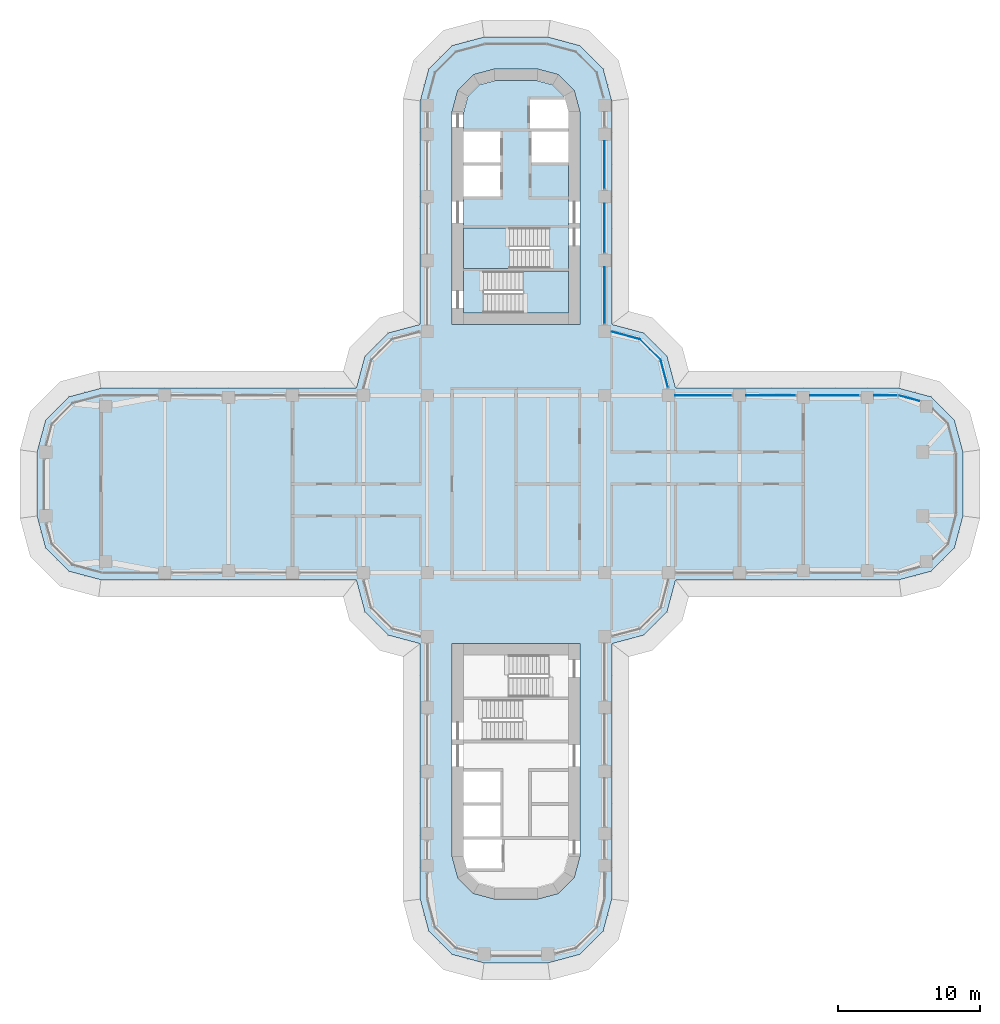
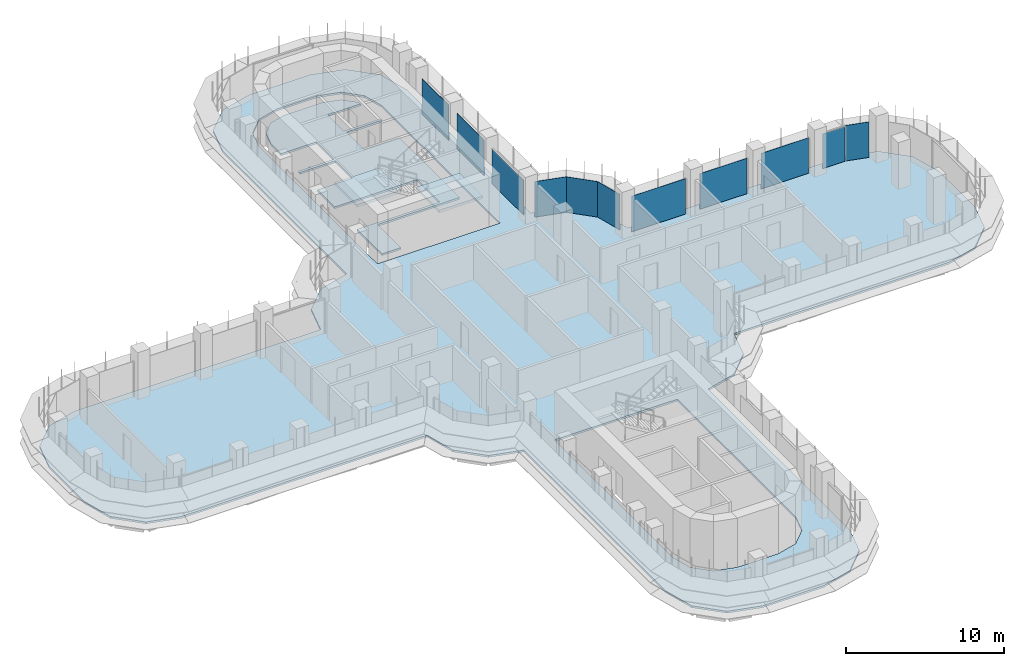
# One storey, part 14 of 22: 11 plates, 4 slabs, 8 elements without a shape of their own.
"""IFC4 building model written with IfcOpenShell, lengths in metres."""

from ifc_helpers import new_model, si_unit, direction, frame, origin, place, context, subcontext, project, spatial, polyline, outline, extrude, source, transform, mapped, material, layer, layer_set, type_object, element, aggregate, save


model = new_model("IFC4")

# Units and contexts
model_context = context("Model", 3, precision=1e-05, world=origin(), true_north=direction((0.0, 1.0)))
body_context = subcontext(model_context, "Body", "Model", "MODEL_VIEW")
ifc_project = project(units=[si_unit("LENGTHUNIT", "METRE"), si_unit("AREAUNIT", "SQUARE_METRE"), si_unit("VOLUMEUNIT", "CUBIC_METRE"), si_unit("PLANEANGLEUNIT", "RADIAN"), si_unit("MASSUNIT", "GRAM", prefix="KILO")], contexts=[model_context])

# Site, building, storey
site_placement = place(None, origin())
site = spatial("IfcSite", under=ifc_project, at=site_placement, CompositionType="ELEMENT")
building_placement = place(site_placement, origin())
building = spatial("IfcBuilding", under=site, at=building_placement, Name="Zarbagh Exchange Tower", CompositionType="ELEMENT")
storey_placement = place(building_placement, frame((0.0, 0.0, 132.199951171875)))
storey = spatial("IfcBuildingStorey", under=building, at=storey_placement, Name="L31", CompositionType="ELEMENT", Elevation=132.199951171875)

# Slabs
ifc_material_1 = material(Name="Concrete C40/50", Category="concrete")
ifc_layer_1 = layer(ifc_material_1, 0.14990234375)
ifc_layer_set_1 = layer_set([ifc_layer_1], Name="Composite floor slab 150 C40/50")
slab_type_1 = type_object("IfcSlabType", Name="Composite floor slab 150 C40/50", PredefinedType="FLOOR", material=ifc_layer_set_1)
slab_1_placement = place(storey_placement, frame((0.0, 0.0, -0.14990234375)))
element("IfcSlab", 1, at=slab_1_placement, inside=storey, type_object=slab_type_1, Name="S5 composite floor slab", PredefinedType="FLOOR", context=body_context, shape_type="SweptSolid", body=[
    extrude(outline(polyline([(-2.25, -33.75), (-4.5, -33.147216796875), (-6.147216796875, -31.5), (-6.75, -29.25), (-6.75, -11.25), (-9.0, -10.647216796875), (-10.647216796875, -9.0), (-11.25, -6.75), (-29.25, -6.75), (-31.5, -6.147216796875), (-33.147216796875, -4.5), (-33.75, -2.25), (-33.75, 2.25), (-33.147216796875, 4.5), (-31.5, 6.147216796875), (-29.25, 6.75), (-11.25, 6.75), (-10.647216796875, 9.0), (-9.0, 10.647216796875), (-6.75, 11.25), (-6.75, 27.0), (-6.147216796875, 29.25), (-4.5, 30.897216796875), (-2.25, 31.5), (2.25, 31.5), (4.5, 30.897216796875), (6.147216796875, 29.25), (6.75, 27.0), (6.75, 11.25), (9.0, 10.647216796875), (10.647216796875, 9.0), (11.25, 6.75), (27.0, 6.75), (29.25, 6.147216796875), (30.897216796875, 4.5), (31.5, 2.25), (31.5, -2.25), (30.897216796875, -4.5), (29.25, -6.147216796875), (27.0, -6.75), (11.25, -6.75), (10.647216796875, -9.0), (9.0, -10.647216796875), (6.75, -11.25), (6.75, -29.25), (6.147216796875, -31.5), (4.5, -33.147216796875), (2.25, -33.75), (-2.25, -33.75)]), holes=[polyline([(4.5, 11.25), (4.5, 26.25), (4.09814453125, 27.75), (3.0, 28.84814453125), (1.5, 29.25), (-1.5, 29.25), (-3.0, 28.84814453125), (-4.09814453125, 27.75), (-4.5, 26.25), (-4.5, 11.25), (4.5, 11.25)]), polyline([(-1.5, -29.25), (1.5, -29.25), (3.0, -28.84814453125), (4.09814453125, -27.75), (4.5, -26.25), (4.5, -11.25), (-4.5, -11.25), (-4.5, -26.25), (-4.09814453125, -27.75), (-3.0, -28.84814453125), (-1.5, -29.25)])]), origin(), (0.0, 0.0, 1.0), 0.14990234375),
])
ifc_layer_2 = layer(ifc_material_1, 0.14990234375)
ifc_layer_set_2 = layer_set([ifc_layer_2], Name="Core floor slab 150 C40/50")
slab_type_2 = type_object("IfcSlabType", Name="Core floor slab 150 C40/50", PredefinedType="FLOOR", material=ifc_layer_set_2)
slab_2_placement = place(storey_placement, frame((0.0, 0.0, -0.14990234375)))
element("IfcSlab", 2, at=slab_2_placement, inside=storey, type_object=slab_type_2, Name="S17 core N", PredefinedType="FLOOR", context=body_context, shape_type="SweptSolid", body=[
    extrude(outline(polyline([(-3.699951171875, 12.050048828125), (-3.699951171875, 15.199951171875), (2.35009765625, 15.199951171875), (2.35009765625, 18.050048828125), (-3.699951171875, 18.050048828125), (-3.699951171875, 20.25), (-1.10009765625, 20.25), (-1.10009765625, 22.449951171875), (-3.699951171875, 22.449951171875), (-3.699951171875, 22.64990234375), (-1.10009765625, 22.64990234375), (-1.10009765625, 24.85009765625), (-3.699951171875, 24.85009765625), (-3.699951171875, 26.144775390625), (-3.380859375, 27.3359375), (-2.5859375, 28.130859375), (-1.394775390625, 28.449951171875), (1.394775390625, 28.449951171875), (2.5859375, 28.130859375), (3.380859375, 27.3359375), (3.646484375, 26.3447265625), (3.444091796875, 27.10009765625), (1.0, 27.10009765625), (1.0, 25.050048828125), (3.699951171875, 25.050048828125), (3.699951171875, 24.85009765625), (1.10009765625, 24.85009765625), (1.10009765625, 22.64990234375), (3.699951171875, 22.64990234375), (3.699951171875, 15.0), (-2.300048828125, 15.0), (-2.300048828125, 12.050048828125), (-3.699951171875, 12.050048828125)])), origin(), (0.0, 0.0, 1.0), 0.14990234375),
])

# Stair, slab
stair_type = type_object("IfcStairType", Name="Exit stair two-flight half-turn", PredefinedType="HALF_TURN_STAIR", material=ifc_material_1)
stair_1_placement = place(storey_placement, origin())
stair_1 = element("IfcStair", 3, at=stair_1_placement, inside=storey, type_object=stair_type, Name="exit stair ST1", PredefinedType="HALF_TURN_STAIR")
ifc_layer_3 = layer(ifc_material_1, 0.199951171875)
ifc_layer_set_3 = layer_set([ifc_layer_3], Name="Stair landing 200 mm")
slab_type_3 = type_object("IfcSlabType", Name="Stair landing 200 mm", PredefinedType="LANDING", material=ifc_layer_set_3)
slab_3_placement = place(storey_placement, frame((0.0, 0.0, 1.699951171875)))
slab_3 = element("IfcSlab", 4, at=slab_3_placement, type_object=slab_type_3, Name="ST1 landing 1", PredefinedType="LANDING", context=body_context, shape_type="SweptSolid", body=[
    extrude(outline(polyline([(-0.449951171875, 18.050048828125), (-3.699951171875, 18.050048828125), (-3.699951171875, 15.199951171875), (-0.449951171875, 15.199951171875), (-0.449951171875, 18.050048828125)])), origin(), (0.0, 0.0, 1.0), 0.2001953125),
])
aggregate(stair_1, [slab_3])

stair_2_placement = place(storey_placement, origin())
stair_2 = element("IfcStair", 5, at=stair_2_placement, inside=storey, type_object=stair_type, Name="exit stair ST2", PredefinedType="HALF_TURN_STAIR")
slab_4_placement = place(storey_placement, frame((0.0, 0.0, 1.699951171875)))
slab_4 = element("IfcSlab", 6, at=slab_4_placement, type_object=slab_type_3, Name="ST2 landing 1", PredefinedType="LANDING", context=body_context, shape_type="SweptSolid", body=[
    extrude(outline(polyline([(0.5, 12.050048828125), (3.699951171875, 12.050048828125), (3.699951171875, 15.0), (0.5, 15.0), (0.5, 12.050048828125)])), origin(), (0.0, 0.0, 1.0), 0.2001953125),
])
aggregate(stair_2, [slab_4])

# Curtain wall, plate
ifc_material_2 = material(Name="Anodised aluminium frame and glazing", Category="aluminium")
curtain_wall_type = type_object("IfcCurtainWallType", Name="CWA Ribbon glazing, lower zones", PredefinedType="NOTDEFINED", material=ifc_material_2)
curtain_wall_1_placement = place(storey_placement, origin())
curtain_wall_1 = element("IfcCurtainWall", 7, at=curtain_wall_1_placement, inside=storey, type_object=curtain_wall_type, Name="CWA18 curtain wall", PredefinedType="NOTDEFINED")
ifc_material_3 = material(Name="Low-e double glazed unit, 6+12+6 mm")
ifc_layer_4 = layer(ifc_material_3, 0.028076171875)
ifc_layer_set_4 = layer_set([ifc_layer_4], Name="PAA Glazing panel, Low-e double glazed unit, 6+12+6 mm")
plate_type = type_object("IfcPlateType", Name="PAA Glazing panel, Low-e double glazed unit, 6+12+6 mm", PredefinedType="CURTAIN_PANEL", material=ifc_layer_set_4)
shared_shape_1 = source(origin(), body_context, "Body", "SweptSolid", [
    extrude(outline(polyline([(0.0, -0.013916015625), (2.061279296875, -0.013916015625), (2.061279296875, 0.013916015625), (0.0, 0.013916015625), (0.0, -0.013916015625)])), origin(), (0.0, 0.0, 1.0), 2.75),
])
placement = place(storey_placement, origin())
plate_1 = element("IfcPlate", 8, at=placement, type_object=plate_type, Name="CWA18 glazing panel 1.1", PredefinedType="CURTAIN_PANEL", context=body_context, shape_type="MappedRepresentation", body=[
    mapped(shared_shape_1, transform((10.19873046875, 8.7412109375, 0.0), x_axis=(-0.707106781187, 0.707106781187, 0.0), y_axis=(-0.707106781187, -0.707106781187, 0.0), z_axis=(0.0, 0.0, 1.0))),
])
aggregate(curtain_wall_1, [plate_1])

curtain_wall_2_placement = place(storey_placement, origin())
curtain_wall_2 = element("IfcCurtainWall", 9, at=curtain_wall_2_placement, inside=storey, type_object=curtain_wall_type, Name="CWA49 curtain wall", PredefinedType="NOTDEFINED")
shared_shape_2 = source(origin(), body_context, "Body", "SweptSolid", [
    extrude(outline(polyline([(0.0, -0.013916015625), (3.360107421875, -0.013916015625), (3.360107421875, 0.013916015625), (0.0, 0.013916015625), (0.0, -0.013916015625)])), origin(), (0.0, 0.0, 1.0), 2.75),
])
plate_2 = element("IfcPlate", 10, at=placement, type_object=plate_type, Name="CWA49 glazing panel 3.1", PredefinedType="CURTAIN_PANEL", context=body_context, shape_type="MappedRepresentation", body=[
    mapped(shared_shape_2, transform((6.25, 20.800048828125, 0.0), x_axis=(0.0, 1.0, 0.0), y_axis=(-1.0, 0.0, 0.0), z_axis=(0.0, 0.0, 1.0))),
])

# Curtain wall, plates
curtain_wall_3_placement = place(storey_placement, origin())
curtain_wall_3 = element("IfcCurtainWall", 11, at=curtain_wall_3_placement, inside=storey, type_object=curtain_wall_type, Name="CWA65 curtain wall", PredefinedType="NOTDEFINED")
shared_shape_3 = source(origin(), body_context, "Body", "SweptSolid", [
    extrude(outline(polyline([(0.0, -0.013916015625), (3.4599609375, -0.013916015625), (3.4599609375, 0.013916015625), (0.0, 0.013916015625), (0.0, -0.013916015625)])), origin(), (0.0, 0.0, 1.0), 2.75),
])
plate_3 = element("IfcPlate", 12, at=placement, type_object=plate_type, Name="CWA65 glazing panel 2.1", PredefinedType="CURTAIN_PANEL", context=body_context, shape_type="MappedRepresentation", body=[
    mapped(shared_shape_3, transform((24.199951171875, 6.25, 0.0), x_axis=(-1.0, 0.0, 0.0), y_axis=(0.0, -1.0, 0.0), z_axis=(0.0, 0.0, 1.0))),
])
plate_4 = element("IfcPlate", 13, at=placement, type_object=plate_type, Name="CWA65 glazing panel 3.1", PredefinedType="CURTAIN_PANEL", context=body_context, shape_type="MappedRepresentation", body=[
    mapped(shared_shape_3, transform((19.699951171875, 6.25, 0.0), x_axis=(-1.0, 0.0, 0.0), y_axis=(0.0, -1.0, 0.0), z_axis=(0.0, 0.0, 1.0))),
])

# Plate
plate_5 = element("IfcPlate", 14, at=placement, type_object=plate_type, Name="CWA49 glazing panel 2.1", PredefinedType="CURTAIN_PANEL", context=body_context, shape_type="MappedRepresentation", body=[
    mapped(shared_shape_3, transform((6.25, 16.300048828125, 0.0), x_axis=(0.0, 1.0, 0.0), y_axis=(-1.0, 0.0, 0.0), z_axis=(0.0, 0.0, 1.0))),
])

shared_shape_4 = source(origin(), body_context, "Body", "SweptSolid", [
    extrude(outline(polyline([(0.0, -0.013916015625), (3.9599609375, -0.013916015625), (3.9599609375, 0.013916015625), (0.0, 0.013916015625), (0.0, -0.013916015625)])), origin(), (0.0, 0.0, 1.0), 2.75),
])
plate_6 = element("IfcPlate", 15, at=placement, type_object=plate_type, Name="CWA65 glazing panel 4.1", PredefinedType="CURTAIN_PANEL", context=body_context, shape_type="MappedRepresentation", body=[
    mapped(shared_shape_4, transform((15.199951171875, 6.25, 0.0), x_axis=(-1.0, 0.0, 0.0), y_axis=(0.0, -1.0, 0.0), z_axis=(0.0, 0.0, 1.0))),
])

# Curtain wall, plate
curtain_wall_4_placement = place(storey_placement, origin())
curtain_wall_4 = element("IfcCurtainWall", 16, at=curtain_wall_4_placement, inside=storey, type_object=curtain_wall_type, Name="CWA17 curtain wall", PredefinedType="NOTDEFINED")
shared_shape_5 = source(origin(), body_context, "Body", "SweptSolid", [
    extrude(outline(polyline([(0.0, -0.013916015625), (2.01171875, -0.013916015625), (2.01171875, 0.013916015625), (0.0, 0.013916015625), (0.0, -0.013916015625)])), origin(), (0.0, 0.0, 1.0), 2.75),
])
plate_7 = element("IfcPlate", 17, at=placement, type_object=plate_type, Name="CWA17 glazing panel 1.1", PredefinedType="CURTAIN_PANEL", context=body_context, shape_type="MappedRepresentation", body=[
    mapped(shared_shape_5, transform((10.719482421875, 6.7978515625, 0.0), x_axis=(-0.258824779902, 0.965924289636, 0.0), y_axis=(-0.965924289636, -0.258824779902, 0.0), z_axis=(0.0, 0.0, 1.0))),
])
aggregate(curtain_wall_4, [plate_7])

curtain_wall_5_placement = place(storey_placement, origin())
curtain_wall_5 = element("IfcCurtainWall", 18, at=curtain_wall_5_placement, inside=storey, type_object=curtain_wall_type, Name="CWA19 curtain wall", PredefinedType="NOTDEFINED")
shared_shape_6 = source(origin(), body_context, "Body", "SweptSolid", [
    extrude(outline(polyline([(0.0, -0.013916015625), (2.07177734375, -0.013916015625), (2.07177734375, 0.013916015625), (0.0, 0.013916015625), (0.0, -0.013916015625)])), origin(), (0.0, 0.0, 1.0), 2.75),
])
plate_8 = element("IfcPlate", 19, at=placement, type_object=plate_type, Name="CWA19 glazing panel 1.1", PredefinedType="CURTAIN_PANEL", context=body_context, shape_type="MappedRepresentation", body=[
    mapped(shared_shape_6, transform((8.7412109375, 10.19873046875, 0.0), x_axis=(-0.965924289636, 0.258824779902, 0.0), y_axis=(-0.258824779902, -0.965924289636, 0.0), z_axis=(0.0, 0.0, 1.0))),
])
aggregate(curtain_wall_5, [plate_8])

# Plate
shared_shape_7 = source(origin(), body_context, "Body", "SweptSolid", [
    extrude(outline(polyline([(0.0, -0.013916015625), (3.9599609375, -0.013916015625), (3.9599609375, 0.013916015625), (0.0, 0.013916015625), (0.0, -0.013916015625)])), origin(), (0.0, 0.0, 1.0), 2.68994140625),
])
plate_9 = element("IfcPlate", 20, at=placement, type_object=plate_type, Name="CWA49 glazing panel 1.1", PredefinedType="CURTAIN_PANEL", context=body_context, shape_type="MappedRepresentation", body=[
    mapped(shared_shape_7, transform((6.25, 11.300048828125, 0.0), x_axis=(0.0, 1.0, 0.0), y_axis=(-1.0, 0.0, 0.0), z_axis=(0.0, 0.0, 1.0))),
])

aggregate(curtain_wall_2, [plate_9, plate_5, plate_2])

# Curtain wall, plate
curtain_wall_6_placement = place(storey_placement, origin())
curtain_wall_6 = element("IfcCurtainWall", 21, at=curtain_wall_6_placement, inside=storey, type_object=curtain_wall_type, Name="CWA64 curtain wall", PredefinedType="NOTDEFINED")
shared_shape_8 = source(origin(), body_context, "Body", "SweptSolid", [
    extrude(outline(polyline([(0.0, -0.013916015625), (1.5361328125, -0.013916015625), (1.5361328125, 0.013916015625), (0.0, 0.013916015625), (0.0, -0.013916015625)])), origin(), (0.0, 0.0, 1.0), 2.75),
])
plate_10 = element("IfcPlate", 22, at=placement, type_object=plate_type, Name="CWA64 glazing panel 1.1", PredefinedType="CURTAIN_PANEL", context=body_context, shape_type="MappedRepresentation", body=[
    mapped(shared_shape_8, transform((28.41796875, 5.852294921875, 0.0), x_axis=(-0.965924289636, 0.258824779902, 0.0), y_axis=(-0.258824779902, -0.965924289636, 0.0), z_axis=(0.0, 0.0, 1.0))),
])
aggregate(curtain_wall_6, [plate_10])

# Plate
shared_shape_9 = source(origin(), body_context, "Body", "SweptSolid", [
    extrude(outline(polyline([(0.0, -0.013916015625), (1.63427734375, -0.013916015625), (1.63427734375, 0.013916015625), (0.0, 0.013916015625), (0.0, -0.013916015625)])), origin(), (0.0, 0.0, 1.0), 2.68994140625),
])
plate_11 = element("IfcPlate", 23, at=placement, type_object=plate_type, Name="CWA65 glazing panel 1.1", PredefinedType="CURTAIN_PANEL", context=body_context, shape_type="MappedRepresentation", body=[
    mapped(shared_shape_9, transform((26.874267578125, 6.25, 0.0), x_axis=(-1.0, 0.0, 0.0), y_axis=(0.0, -1.0, 0.0), z_axis=(0.0, 0.0, 1.0))),
])

aggregate(curtain_wall_3, [plate_11, plate_3, plate_4, plate_6])

save(model, "model.ifc")
